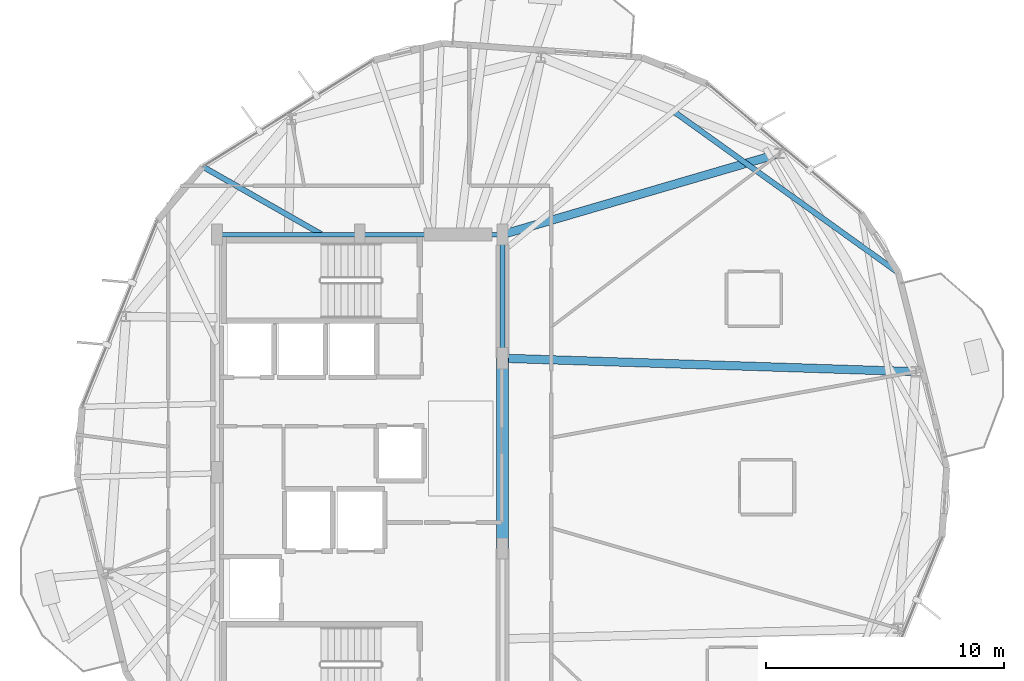
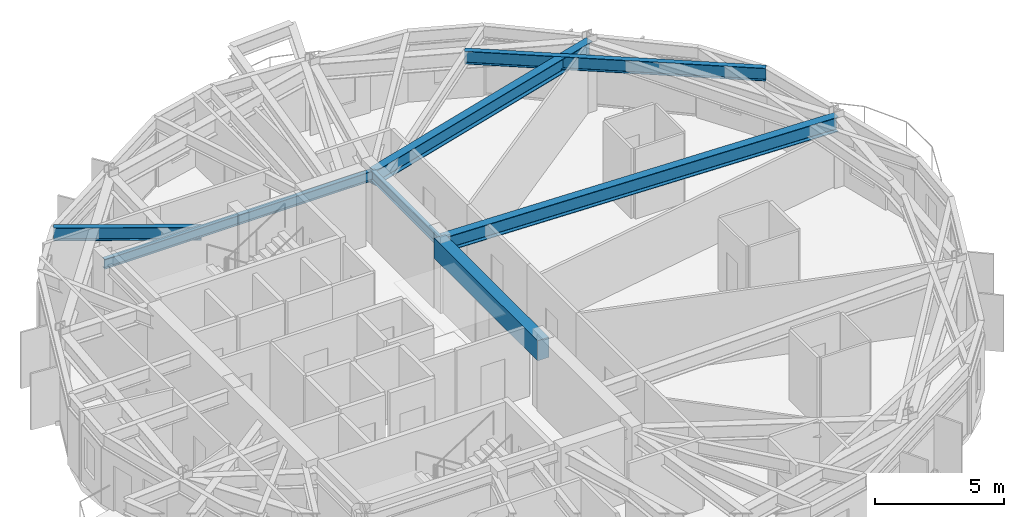
# One storey, part 8 of 22: 8 beams.
"""IFC4 building model written with IfcOpenShell, lengths in metres."""

from ifc_helpers import new_model, si_unit, direction, frame, origin, origin_2d, place, context, subcontext, project, spatial, rectangle, i_section, extrude, material, material_profile, profile_set, type_object, element, save


model = new_model("IFC4")

# Units and contexts
model_context = context("Model", 3, precision=1e-05, world=origin(), true_north=direction((0.0, 1.0)))
body_context = subcontext(model_context, "Body", "Model", "MODEL_VIEW")
ifc_project = project(units=[si_unit("LENGTHUNIT", "METRE"), si_unit("AREAUNIT", "SQUARE_METRE"), si_unit("VOLUMEUNIT", "CUBIC_METRE"), si_unit("PLANEANGLEUNIT", "RADIAN"), si_unit("MASSUNIT", "GRAM", prefix="KILO")], contexts=[model_context])

# Site, building, storey
site_placement = place(None, origin())
site = spatial("IfcSite", under=ifc_project, at=site_placement, CompositionType="ELEMENT")
building_placement = place(site_placement, origin())
building = spatial("IfcBuilding", under=site, at=building_placement, Name="Soratama Intermodal Tower", CompositionType="ELEMENT")
storey_placement = place(building_placement, frame((0.0, 0.0, 157.0)))
storey = spatial("IfcBuildingStorey", under=building, at=storey_placement, Name="L38", CompositionType="ELEMENT", Elevation=157.0)

# Beams
ifc_material_1 = material(Name="Concrete f'c 56 MPa", Category="concrete")
ifc_material_profile_1 = material_profile(ifc_material_1, rectangle(XDim=0.5, YDim=0.949951171875, at=origin_2d()), Name="RC500X950")
ifc_profile_set_1 = profile_set([ifc_material_profile_1], Name="Concrete f'c 56 MPa")
beam_type_1 = type_object("IfcBeamType", Name="BM-CPL-RC500X950", PredefinedType="BEAM", material=ifc_profile_set_1)
beam_1_placement = place(storey_placement, frame((44.60009765625, 21.800048828125, 2.824951171875), z_axis=(0.0, 1.0, 0.0), x_axis=(-1.0, 0.0, 0.0)))
element("IfcBeam", 1, at=beam_1_placement, inside=storey, type_object=beam_type_1, Name="L38 Core Coupling Beam East", PredefinedType="BEAM", context=body_context, shape_type="SweptSolid", body=[
    extrude(rectangle(XDim=0.5, YDim=0.949951171875, at=origin_2d()), origin(), (0.0, 0.0, 1.0), 8.0),
])
ifc_material_2 = material(Name="Structural steel ASTM A992 Grade 50", Category="steel")
ifc_material_profile_2 = material_profile(ifc_material_2, i_section(OverallWidth=0.19091796875, OverallDepth=0.4599609375, WebThickness=0.010009765625, FlangeThickness=0.01611328125, FilletRadius=0.010986328125, at=origin_2d()), Name="W18X55")
ifc_profile_set_2 = profile_set([ifc_material_profile_2], Name="Structural steel ASTM A992 Grade 50")
beam_type_2 = type_object("IfcBeamType", Name="BM-FLR-W18X55", PredefinedType="BEAM", material=ifc_profile_set_2)
beam_2_placement = place(storey_placement, frame((44.60009765625, 29.800048828125, 3.070068359375), z_axis=(0.0, 1.0, 0.0), x_axis=(-1.0, 0.0, 0.0)))
element("IfcBeam", 2, at=beam_2_placement, inside=storey, type_object=beam_type_2, Name="BM-L38-CRING-05", PredefinedType="BEAM", context=body_context, shape_type="SweptSolid", body=[
    extrude(i_section(OverallWidth=0.19091796875, OverallDepth=0.4599609375, WebThickness=0.010009765625, FlangeThickness=0.01611328125, FilletRadius=0.010986328125, at=origin_2d()), origin(), (0.0, 0.0, 1.0), 5.199951171875),
])
for number, where, z_axis, x_axis, name in (
    (3, (44.60009765625, 35.0, 3.070068359375), (-1.0, 0.0, 0.0), (0.0, -1.0, 0.0), "BM-L38-CRING-06"),
    (4, (38.60009765625, 35.0, 3.070068359375), (-1.0, 0.0, 0.0), (0.0, -1.0, 0.0), "BM-L38-CRING-07"),
):
    element("IfcBeam", number, at=place(storey_placement, frame(where, z_axis=z_axis, x_axis=x_axis)), inside=storey, type_object=beam_type_2, Name=name, PredefinedType="BEAM", context=body_context, shape_type="SweptSolid", body=[
        extrude(i_section(OverallWidth=0.19091796875, OverallDepth=0.4599609375, WebThickness=0.010009765625, FlangeThickness=0.01611328125, FilletRadius=0.010986328125, at=origin_2d()), origin(), (0.0, 0.0, 1.0), 6.0),
    ])
ifc_material_3 = material(Name="Structural steel ASTM A992 Grade 50", Category="steel")
ifc_material_profile_3 = material_profile(ifc_material_3, i_section(OverallWidth=0.35498046875, OverallDepth=0.695068359375, WebThickness=0.015380859375, FlangeThickness=0.02490234375, FilletRadius=0.01611328125, at=origin_2d()), Name="W27X146")
ifc_profile_set_3 = profile_set([ifc_material_profile_3], Name="Structural steel ASTM A992 Grade 50")
beam_type_3 = type_object("IfcBeamType", Name="BM-RING-W27X146", PredefinedType="BEAM", material=ifc_profile_set_3)
beam_3_placement = place(storey_placement, frame((44.60009765625, 29.800048828125, 2.952392578125), z_axis=(0.999469833309, -0.032558444449, 0.0), x_axis=(0.032558444449, 0.999469833309, 0.0)))
element("IfcBeam", 5, at=beam_3_placement, inside=storey, type_object=beam_type_3, Name="BM-L38-RAD-01", PredefinedType="BEAM", context=body_context, shape_type="SweptSolid", body=[
    extrude(i_section(OverallWidth=0.35498046875, OverallDepth=0.695068359375, WebThickness=0.015380859375, FlangeThickness=0.02490234375, FilletRadius=0.01611328125, at=origin_2d()), origin(), (0.0, 0.0, 1.0), 17.38916015625),
])
beam_4_placement = place(storey_placement, frame((44.60009765625, 35.0, 2.952392578125), z_axis=(0.959813691047, 0.280637984738, 0.0), x_axis=(-0.280637984738, 0.959813691047, 0.0)))
element("IfcBeam", 6, at=beam_4_placement, inside=storey, type_object=beam_type_3, Name="BM-L38-RAD-02", PredefinedType="BEAM", context=body_context, shape_type="SweptSolid", body=[
    extrude(i_section(OverallWidth=0.35498046875, OverallDepth=0.695068359375, WebThickness=0.015380859375, FlangeThickness=0.02490234375, FilletRadius=0.01611328125, at=origin_2d()), origin(), (0.0, 0.0, 1.0), 12.13671875),
])
ifc_material_4 = material(Name="Structural steel ASTM A992 Grade 50", Category="steel")
ifc_material_profile_4 = material_profile(ifc_material_4, i_section(OverallWidth=0.22900390625, OverallDepth=0.612060546875, WebThickness=0.011962890625, FlangeThickness=0.01953125, FilletRadius=0.012939453125, at=origin_2d()), Name="W24X84")
ifc_profile_set_4 = profile_set([ifc_material_profile_4], Name="Structural steel ASTM A992 Grade 50")
beam_type_4 = type_object("IfcBeamType", Name="BM-TIE-W24X84", PredefinedType="BEAM", material=ifc_profile_set_4)
beam_5_placement = place(storey_placement, frame((36.972900390625, 35.02001953125, 2.993896484375), z_axis=(-0.868861841559, 0.495054643735, 0.0), x_axis=(-0.495054643735, -0.868861841559, 0.0)))
element("IfcBeam", 7, at=beam_5_placement, inside=storey, type_object=beam_type_4, Name="BM-L38-TIE1-03", PredefinedType="BEAM", context=body_context, shape_type="SweptSolid", body=[
    extrude(i_section(OverallWidth=0.22900390625, OverallDepth=0.612060546875, WebThickness=0.011962890625, FlangeThickness=0.01953125, FilletRadius=0.012939453125, at=origin_2d()), origin(), (0.0, 0.0, 1.0), 5.724609375),
])
beam_6_placement = place(storey_placement, frame((51.72900390625, 40.221923828125, 2.993896484375), z_axis=(0.812361973701, -0.583153516396, 0.0), x_axis=(0.583153516396, 0.812361973701, 0.0)))
element("IfcBeam", 8, at=beam_6_placement, inside=storey, type_object=beam_type_4, Name="BM-L38-TIE1-10", PredefinedType="BEAM", context=body_context, shape_type="SweptSolid", body=[
    extrude(i_section(OverallWidth=0.22900390625, OverallDepth=0.612060546875, WebThickness=0.011962890625, FlangeThickness=0.01953125, FilletRadius=0.012939453125, at=origin_2d()), origin(), (0.0, 0.0, 1.0), 11.710205078125),
])

save(model, "model.ifc")
